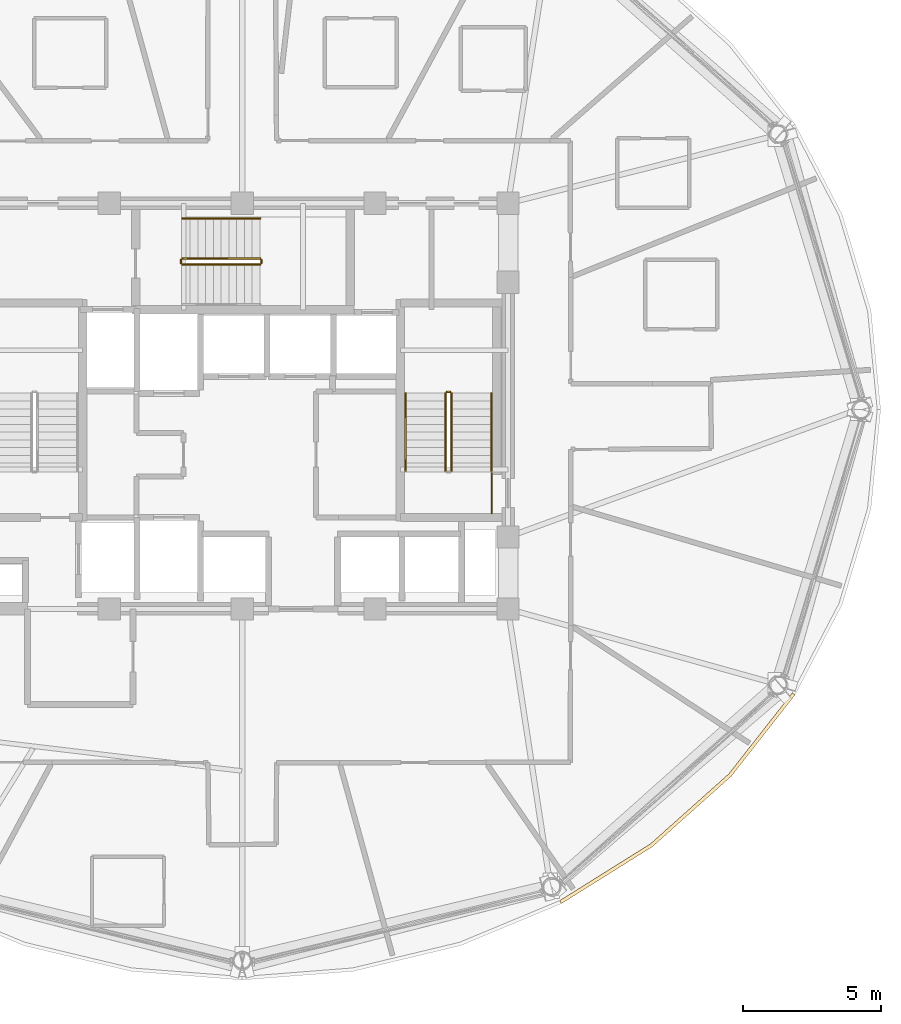
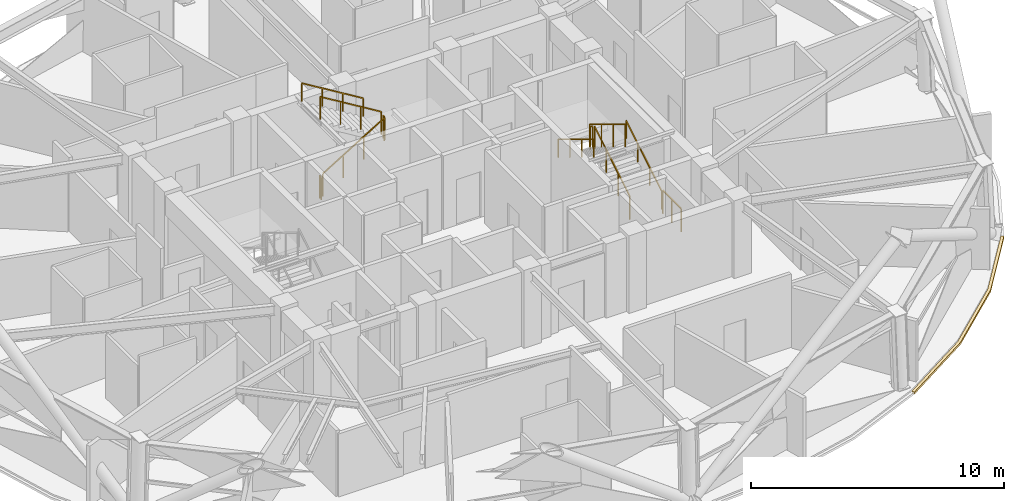
# One storey, part 13 of 14: 11 railings, 1 covering.
"""IFC4 building model written with IfcOpenShell, lengths in metres."""

from ifc_helpers import new_model, si_unit, direction, frame, origin, origin_2d, place, context, subcontext, project, spatial, polyline, rectangle, outline, extrude, material, layer, layer_set, type_object, element, save


model = new_model("IFC4")

# Units and contexts
model_context = context("Model", 3, precision=1e-05, world=origin(), true_north=direction((0.0, 1.0)))
body_context = subcontext(model_context, "Body", "Model", "MODEL_VIEW")
ifc_project = project(units=[si_unit("LENGTHUNIT", "METRE"), si_unit("AREAUNIT", "SQUARE_METRE"), si_unit("VOLUMEUNIT", "CUBIC_METRE"), si_unit("PLANEANGLEUNIT", "RADIAN"), si_unit("MASSUNIT", "GRAM", prefix="KILO")], contexts=[model_context])

# Site, building, storey
site_placement = place(None, origin())
site = spatial("IfcSite", under=ifc_project, at=site_placement, CompositionType="ELEMENT")
building_placement = place(site_placement, origin())
building = spatial("IfcBuilding", under=site, at=building_placement, Name="Vantalir Tower", CompositionType="ELEMENT")
storey_placement = place(building_placement, frame((0.0, 0.0, 204.89990234375)))
storey = spatial("IfcBuildingStorey", under=building, at=storey_placement, Name="L51", CompositionType="ELEMENT", Elevation=204.89990234375)

# Covering
ifc_material_1 = material(Name="Anodised champagne aluminium sill fascia", Category="aluminium")
ifc_layer = layer(ifc_material_1, 0.125)
ifc_layer_set = layer_set([ifc_layer], Name="Anodised champagne aluminium sill fascia")
covering_type = type_object("IfcCoveringType", Name="COV-SLAB-FASCIA-125", PredefinedType="CLADDING", material=ifc_layer_set)
covering_placement = place(storey_placement, frame((0.0, 0.0, -0.179931640625)))
element("IfcCovering", 1, at=covering_placement, inside=storey, type_object=covering_type, Name="L51 Perimeter Slab-Edge Sill Fascia 11", PredefinedType="CLADDING", context=body_context, shape_type="SweptSolid", body=[
    extrude(outline(polyline([(43.029052734375, 7.159912109375), (46.321044921875, 9.218994140625), (49.1630859375, 11.759033203125), (51.468017578125, 14.699951171875), (51.360107421875, 14.761962890625), (49.06689453125, 11.839111328125), (46.239990234375, 9.31494140625), (42.966064453125, 7.26806640625), (43.029052734375, 7.159912109375)])), origin(), (0.0, 0.0, 1.0), 0.10498046875),
])

# Railings
ifc_material_2 = material(Name="Anodised aluminium and stainless steel guard", Category="steel")
railing_type_1 = type_object("IfcRailingType", Name="RAL-GUARD-1120", PredefinedType="GUARDRAIL", material=ifc_material_2)
railing_1_placement = place(storey_placement, frame((39.06005859375, 22.7900390625, 0.170654296875)))
element("IfcRailing", 2, at=railing_1_placement, inside=storey, type_object=railing_type_1, Name="L51 ST2 stair guard 1", PredefinedType="GUARDRAIL", context=body_context, shape_type="SweptSolid", body=[
    extrude(rectangle(XDim=0.048095703125, YDim=0.048095703125, at=origin_2d()), frame((0.0, 0.0, 1.09619140625), z_axis=(0.0, 0.854202870247, 0.519939858505), x_axis=(-1.0, 0.0, 0.0)), (0.0, 0.0, 1.0), 3.278076171875),
    extrude(rectangle(XDim=0.0419921875, YDim=0.0419921875, at=origin_2d()), origin(), (0.0, 0.0, 1.0), 1.072021484375),
    extrude(rectangle(XDim=0.0419921875, YDim=0.0419921875, at=origin_2d()), frame((0.0, 0.933349609375, 0.568115234375)), (0.0, 0.0, 1.0), 1.072021484375),
    extrude(rectangle(XDim=0.0419921875, YDim=0.0419921875, at=origin_2d()), frame((0.0, 1.86669921875, 1.13623046875)), (0.0, 0.0, 1.0), 1.072021484375),
    extrude(rectangle(XDim=0.0419921875, YDim=0.0419921875, at=origin_2d()), frame((0.0, 2.800048828125, 1.704345703125)), (0.0, 0.0, 1.0), 1.072021484375),
])
railing_2_placement = place(storey_placement, frame((39.010009765625, 25.639892578125, 1.875)))
element("IfcRailing", 3, at=railing_2_placement, inside=storey, type_object=railing_type_1, Name="L51 ST2 stair guard 2", PredefinedType="GUARDRAIL", context=body_context, shape_type="SweptSolid", body=[
    extrude(rectangle(XDim=0.048095703125, YDim=0.048095703125, at=origin_2d()), frame((0.0, 0.0, 1.09619140625), z_axis=(-1.0, 0.0, 0.0), x_axis=(0.0, -1.0, 0.0)), (0.0, 0.0, 1.0), 0.1201171875),
    extrude(rectangle(XDim=0.0419921875, YDim=0.0419921875, at=origin_2d()), origin(), (0.0, 0.0, 1.0), 1.072021484375),
    extrude(rectangle(XDim=0.0419921875, YDim=0.0419921875, at=origin_2d()), frame((-0.1201171875, 0.0, 0.0)), (0.0, 0.0, 1.0), 1.072021484375),
])
railing_3_placement = place(storey_placement, frame((38.840087890625, 25.590087890625, 2.045654296875)))
element("IfcRailing", 4, at=railing_3_placement, inside=storey, type_object=railing_type_1, Name="L51 ST2 stair guard 3", PredefinedType="GUARDRAIL", context=body_context, shape_type="SweptSolid", body=[
    extrude(rectangle(XDim=0.048095703125, YDim=0.048095703125, at=origin_2d()), frame((0.0, 0.0, 1.09619140625), z_axis=(0.0, -0.854202870247, 0.519939858505), x_axis=(1.0, 0.0, 0.0)), (0.0, 0.0, 1.0), 3.278076171875),
    extrude(rectangle(XDim=0.0419921875, YDim=0.0419921875, at=origin_2d()), origin(), (0.0, 0.0, 1.0), 1.072021484375),
    extrude(rectangle(XDim=0.0419921875, YDim=0.0419921875, at=origin_2d()), frame((0.0, -0.933349609375, 0.568115234375)), (0.0, 0.0, 1.0), 1.072021484375),
    extrude(rectangle(XDim=0.0419921875, YDim=0.0419921875, at=origin_2d()), frame((0.0, -1.86669921875, 1.13623046875)), (0.0, 0.0, 1.0), 1.072021484375),
    extrude(rectangle(XDim=0.0419921875, YDim=0.0419921875, at=origin_2d()), frame((0.0, -2.800048828125, 1.704345703125)), (0.0, 0.0, 1.0), 1.072021484375),
])
railing_4_placement = place(storey_placement, frame((29.340087890625, 30.239990234375, 0.170654296875)))
element("IfcRailing", 5, at=railing_4_placement, inside=storey, type_object=railing_type_1, Name="L51 ST3 stair guard 1", PredefinedType="GUARDRAIL", context=body_context, shape_type="SweptSolid", body=[
    extrude(rectangle(XDim=0.048095703125, YDim=0.048095703125, at=origin_2d()), frame((0.0, 0.0, 1.09619140625), z_axis=(0.854182733786, 0.0, 0.519972939009), x_axis=(0.0, 1.0, 0.0)), (0.0, 0.0, 1.0), 3.27783203125),
    extrude(rectangle(XDim=0.0419921875, YDim=0.0419921875, at=origin_2d()), origin(), (0.0, 0.0, 1.0), 1.072021484375),
    extrude(rectangle(XDim=0.0419921875, YDim=0.0419921875, at=origin_2d()), frame((0.933349609375, 0.0, 0.568115234375)), (0.0, 0.0, 1.0), 1.072021484375),
    extrude(rectangle(XDim=0.0419921875, YDim=0.0419921875, at=origin_2d()), frame((1.866455078125, 0.0, 1.13623046875)), (0.0, 0.0, 1.0), 1.072021484375),
    extrude(rectangle(XDim=0.0419921875, YDim=0.0419921875, at=origin_2d()), frame((2.7998046875, 0.0, 1.704345703125)), (0.0, 0.0, 1.0), 1.072021484375),
])
railing_5_placement = place(storey_placement, frame((32.18994140625, 30.2900390625, 1.875)))
element("IfcRailing", 6, at=railing_5_placement, inside=storey, type_object=railing_type_1, Name="L51 ST3 stair guard 2", PredefinedType="GUARDRAIL", context=body_context, shape_type="SweptSolid", body=[
    extrude(rectangle(XDim=0.048095703125, YDim=0.048095703125, at=origin_2d()), frame((0.0, 0.0, 1.09619140625), z_axis=(0.0, 1.0, 0.0), x_axis=(-1.0, 0.0, 0.0)), (0.0, 0.0, 1.0), 0.119873046875),
    extrude(rectangle(XDim=0.0419921875, YDim=0.0419921875, at=origin_2d()), origin(), (0.0, 0.0, 1.0), 1.072021484375),
    extrude(rectangle(XDim=0.0419921875, YDim=0.0419921875, at=origin_2d()), frame((0.0, 0.119873046875, 0.0)), (0.0, 0.0, 1.0), 1.072021484375),
])
railing_6_placement = place(storey_placement, frame((32.139892578125, 30.4599609375, 2.045654296875)))
element("IfcRailing", 7, at=railing_6_placement, inside=storey, type_object=railing_type_1, Name="L51 ST3 stair guard 3", PredefinedType="GUARDRAIL", context=body_context, shape_type="SweptSolid", body=[
    extrude(rectangle(XDim=0.048095703125, YDim=0.048095703125, at=origin_2d()), frame((0.0, 0.0, 1.09619140625), z_axis=(-0.854182733786, 0.0, 0.519972939009), x_axis=(0.0, -1.0, 0.0)), (0.0, 0.0, 1.0), 3.27783203125),
    extrude(rectangle(XDim=0.0419921875, YDim=0.0419921875, at=origin_2d()), origin(), (0.0, 0.0, 1.0), 1.072021484375),
    extrude(rectangle(XDim=0.0419921875, YDim=0.0419921875, at=origin_2d()), frame((-0.933349609375, 0.0, 0.568115234375)), (0.0, 0.0, 1.0), 1.072021484375),
    extrude(rectangle(XDim=0.0419921875, YDim=0.0419921875, at=origin_2d()), frame((-1.866455078125, 0.0, 1.13623046875)), (0.0, 0.0, 1.0), 1.072021484375),
    extrude(rectangle(XDim=0.0419921875, YDim=0.0419921875, at=origin_2d()), frame((-2.7998046875, 0.0, 1.704345703125)), (0.0, 0.0, 1.0), 1.072021484375),
])
railing_7_placement = place(storey_placement, frame((29.2900390625, 30.2900390625, 0.0)))
element("IfcRailing", 8, at=railing_7_placement, inside=storey, type_object=railing_type_1, Name="L51 ST3 stair guard 4", PredefinedType="GUARDRAIL", context=body_context, shape_type="SweptSolid", body=[
    extrude(rectangle(XDim=0.048095703125, YDim=0.048095703125, at=origin_2d()), frame((0.0, 0.0, 1.09619140625), z_axis=(0.0, 1.0, 0.0), x_axis=(-1.0, 0.0, 0.0)), (0.0, 0.0, 1.0), 0.119873046875),
    extrude(rectangle(XDim=0.0419921875, YDim=0.0419921875, at=origin_2d()), origin(), (0.0, 0.0, 1.0), 1.072021484375),
    extrude(rectangle(XDim=0.0419921875, YDim=0.0419921875, at=origin_2d()), frame((0.0, 0.119873046875, 0.0)), (0.0, 0.0, 1.0), 1.072021484375),
])
railing_8_placement = place(storey_placement, frame((40.510009765625, 21.260009765625, 0.0)))
element("IfcRailing", 9, at=railing_8_placement, inside=storey, type_object=railing_type_1, Name="L51 Stair ST2 Doorway Landing Guard", PredefinedType="GUARDRAIL", context=body_context, shape_type="SweptSolid", body=[
    extrude(rectangle(XDim=0.048095703125, YDim=0.048095703125, at=origin_2d()), frame((0.0, 0.0, 1.1259765625), z_axis=(0.0, 1.0, 0.0), x_axis=(-1.0, 0.0, 0.0)), (0.0, 0.0, 1.0), 1.43994140625),
    extrude(rectangle(XDim=0.0419921875, YDim=0.0419921875, at=origin_2d()), origin(), (0.0, 0.0, 1.0), 1.101806640625),
    extrude(rectangle(XDim=0.0419921875, YDim=0.0419921875, at=origin_2d()), frame((0.0, 0.719970703125, 0.0)), (0.0, 0.0, 1.0), 1.101806640625),
    extrude(rectangle(XDim=0.0419921875, YDim=0.0419921875, at=origin_2d()), frame((0.0, 1.43994140625, 0.0)), (0.0, 0.0, 1.0), 1.101806640625),
])
ifc_material_3 = material(Name="Brushed stainless steel tubular handrail", Category="steel")
railing_type_2 = type_object("IfcRailingType", Name="RAL-HANDRAIL-900", PredefinedType="HANDRAIL", material=ifc_material_3)
railing_9_placement = place(storey_placement, frame((40.5, 22.7900390625, 0.170654296875)))
element("IfcRailing", 10, at=railing_9_placement, inside=storey, type_object=railing_type_2, Name="L51 ST2 stair handrail 1", PredefinedType="HANDRAIL", context=body_context, shape_type="SweptSolid", body=[
    extrude(rectangle(XDim=0.048095703125, YDim=0.048095703125, at=origin_2d()), frame((0.0, 0.0, 0.8759765625), z_axis=(0.0, 0.854202870247, 0.519939858505), x_axis=(-1.0, 0.0, 0.0)), (0.0, 0.0, 1.0), 3.278076171875),
    extrude(rectangle(XDim=0.0419921875, YDim=0.0419921875, at=origin_2d()), origin(), (0.0, 0.0, 1.0), 0.851806640625),
    extrude(rectangle(XDim=0.0419921875, YDim=0.0419921875, at=origin_2d()), frame((0.0, 0.933349609375, 0.568115234375)), (0.0, 0.0, 1.0), 0.851806640625),
    extrude(rectangle(XDim=0.0419921875, YDim=0.0419921875, at=origin_2d()), frame((0.0, 1.86669921875, 1.13623046875)), (0.0, 0.0, 1.0), 0.851806640625),
    extrude(rectangle(XDim=0.0419921875, YDim=0.0419921875, at=origin_2d()), frame((0.0, 2.800048828125, 1.704345703125)), (0.0, 0.0, 1.0), 0.851806640625),
])
railing_10_placement = place(storey_placement, frame((37.39990234375, 25.590087890625, 2.045654296875)))
element("IfcRailing", 11, at=railing_10_placement, inside=storey, type_object=railing_type_2, Name="L51 ST2 stair handrail 2", PredefinedType="HANDRAIL", context=body_context, shape_type="SweptSolid", body=[
    extrude(rectangle(XDim=0.048095703125, YDim=0.048095703125, at=origin_2d()), frame((0.0, 0.0, 0.8759765625), z_axis=(0.0, -0.854202870247, 0.519939858505), x_axis=(1.0, 0.0, 0.0)), (0.0, 0.0, 1.0), 3.278076171875),
    extrude(rectangle(XDim=0.0419921875, YDim=0.0419921875, at=origin_2d()), origin(), (0.0, 0.0, 1.0), 0.851806640625),
    extrude(rectangle(XDim=0.0419921875, YDim=0.0419921875, at=origin_2d()), frame((0.0, -0.933349609375, 0.568115234375)), (0.0, 0.0, 1.0), 0.851806640625),
    extrude(rectangle(XDim=0.0419921875, YDim=0.0419921875, at=origin_2d()), frame((0.0, -1.86669921875, 1.13623046875)), (0.0, 0.0, 1.0), 0.851806640625),
    extrude(rectangle(XDim=0.0419921875, YDim=0.0419921875, at=origin_2d()), frame((0.0, -2.800048828125, 1.704345703125)), (0.0, 0.0, 1.0), 0.851806640625),
])
railing_11_placement = place(storey_placement, frame((32.139892578125, 31.89990234375, 2.045654296875)))
element("IfcRailing", 12, at=railing_11_placement, inside=storey, type_object=railing_type_2, Name="L51 ST3 stair handrail 2", PredefinedType="HANDRAIL", context=body_context, shape_type="SweptSolid", body=[
    extrude(rectangle(XDim=0.048095703125, YDim=0.048095703125, at=origin_2d()), frame((0.0, 0.0, 0.8759765625), z_axis=(-0.854182733786, 0.0, 0.519972939009), x_axis=(0.0, -1.0, 0.0)), (0.0, 0.0, 1.0), 3.27783203125),
    extrude(rectangle(XDim=0.0419921875, YDim=0.0419921875, at=origin_2d()), origin(), (0.0, 0.0, 1.0), 0.851806640625),
    extrude(rectangle(XDim=0.0419921875, YDim=0.0419921875, at=origin_2d()), frame((-0.933349609375, 0.0, 0.568115234375)), (0.0, 0.0, 1.0), 0.851806640625),
    extrude(rectangle(XDim=0.0419921875, YDim=0.0419921875, at=origin_2d()), frame((-1.866455078125, 0.0, 1.13623046875)), (0.0, 0.0, 1.0), 0.851806640625),
    extrude(rectangle(XDim=0.0419921875, YDim=0.0419921875, at=origin_2d()), frame((-2.7998046875, 0.0, 1.704345703125)), (0.0, 0.0, 1.0), 0.851806640625),
])

save(model, "model.ifc")
